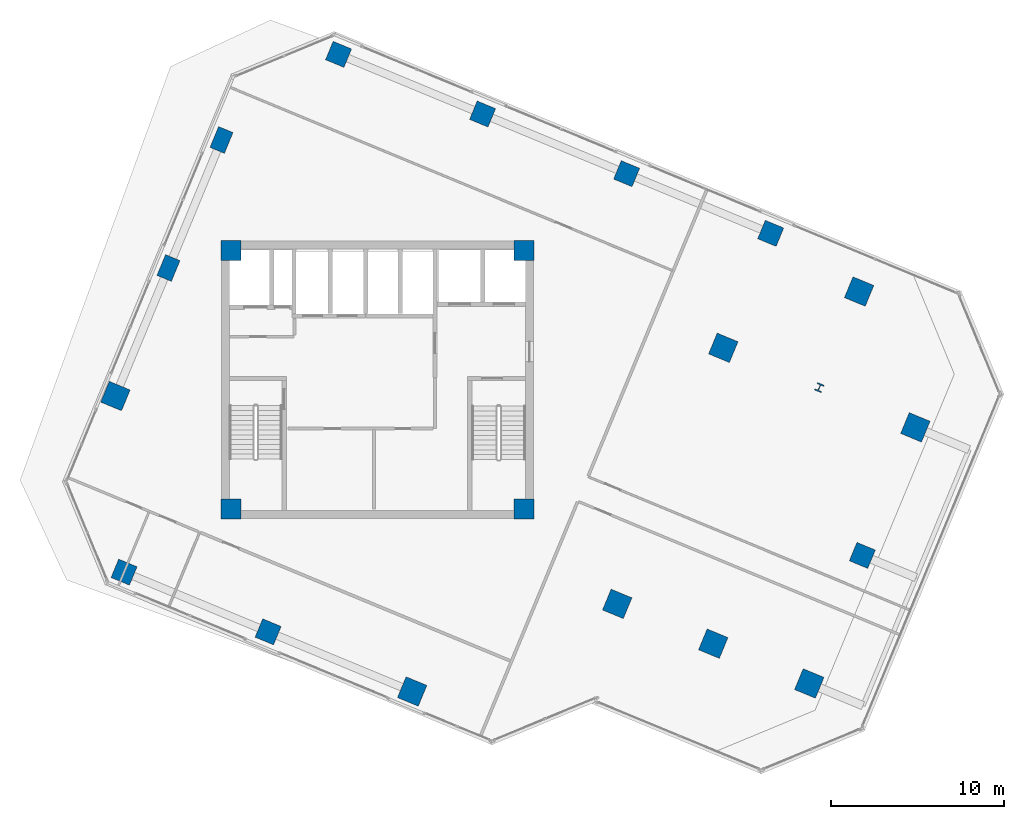
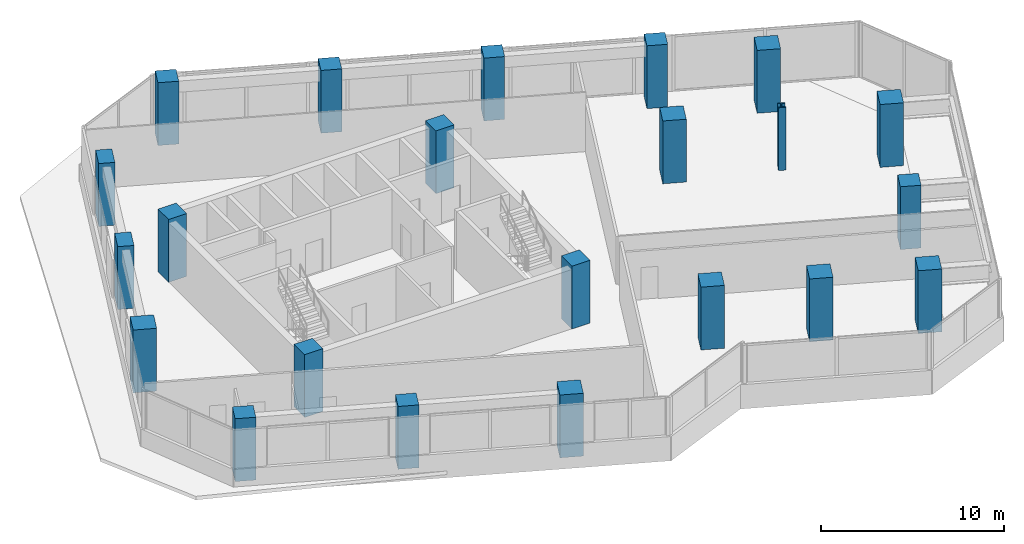
# One storey, part 1 of 24: 22 columns.
"""IFC4 building model written with IfcOpenShell, lengths in metres."""

from ifc_helpers import new_model, si_unit, direction, frame, origin, origin_2d, place, context, subcontext, project, spatial, rectangle, i_section, extrude, source, transform, mapped, material, material_profile, profile_set, type_object, element, save


model = new_model("IFC4")

# Units and contexts
model_context = context("Model", 3, precision=1e-05, world=origin(), true_north=direction((0.0, 1.0)))
body_context = subcontext(model_context, "Body", "Model", "MODEL_VIEW")
ifc_project = project(units=[si_unit("LENGTHUNIT", "METRE"), si_unit("AREAUNIT", "SQUARE_METRE"), si_unit("VOLUMEUNIT", "CUBIC_METRE"), si_unit("PLANEANGLEUNIT", "RADIAN"), si_unit("MASSUNIT", "GRAM", prefix="KILO")], contexts=[model_context])

# Site, building, storey
site_placement = place(None, origin())
site = spatial("IfcSite", under=ifc_project, at=site_placement, CompositionType="ELEMENT")
building_placement = place(site_placement, origin())
building = spatial("IfcBuilding", under=site, at=building_placement, Name="Torre Montelarca", CompositionType="ELEMENT")
storey_placement = place(building_placement, frame((0.0, 0.0, 141.39990234375)))
storey = spatial("IfcBuildingStorey", under=building, at=storey_placement, Name="L31", CompositionType="ELEMENT", Elevation=141.39990234375)

# Columns
ifc_material_1 = material(Name="Concrete C55/67", Category="concrete")
ifc_material_profile_1 = material_profile(ifc_material_1, rectangle(XDim=1.14990234375, YDim=1.14990234375, at=origin_2d()), Name="RC1150X1150", Category="concrete")
ifc_profile_set_1 = profile_set([ifc_material_profile_1], Name="Concrete C55/67")
column_type_1 = type_object("IfcColumnType", Name="COL-RC1150", PredefinedType="COLUMN", material=ifc_profile_set_1)
shared_shape_1 = source(origin(), body_context, "Body", "SweptSolid", [
    extrude(rectangle(XDim=1.14990234375, YDim=1.14990234375, at=origin_2d()), origin(), (0.0, 0.0, 1.0), 4.19873046875),
])
for number, where, z_axis, x_axis, name in (
    (1, (9.550048828125, 24.550048828125, 0.000732421875), (0.0, 0.0, 1.0), (1.0, 0.0, 0.0), "L31 Plumb Core Corner Column 2D"),
    (2, (26.449951171875, 24.550048828125, 0.000732421875), (0.0, 0.0, 1.0), (1.0, 0.0, 0.0), "L31 Plumb Core Corner Column 4D"),
    (3, (9.550048828125, 39.449951171875, 0.000732421875), (0.0, 0.0, 1.0), (1.0, 0.0, 0.0), "L31 Plumb Core Corner Column 2F"),
    (4, (26.449951171875, 39.449951171875, 0.000732421875), (0.0, 0.0, 1.0), (1.0, 0.0, 0.0), "L31 Plumb Core Corner Column 4F"),
):
    element("IfcColumn", number, at=place(storey_placement, frame(where, z_axis=z_axis, x_axis=x_axis)), inside=storey, type_object=column_type_1, Name=name, PredefinedType="COLUMN", context=body_context, shape_type="MappedRepresentation", body=[
        mapped(shared_shape_1, transform((0.0, 0.0, 0.0), scale=1.0)),
    ])
ifc_material_2 = material(Name="Concrete C70/85", Category="concrete")
ifc_material_profile_2 = material_profile(ifc_material_2, rectangle(XDim=1.300048828125, YDim=1.300048828125, at=origin_2d()), Name="RC1300X1300", Category="concrete")
ifc_profile_set_2 = profile_set([ifc_material_profile_2], Name="Concrete C70/85")
column_type_2 = type_object("IfcColumnType", Name="COL-RC1300-EXT", PredefinedType="COLUMN", material=ifc_profile_set_2)
shared_shape_2 = source(origin(), body_context, "Body", "SweptSolid", [
    extrude(rectangle(XDim=1.300048828125, YDim=1.300048828125, at=origin_2d()), origin(), (0.0, 0.0, 1.0), 4.19873046875),
])
for number, where, z_axis, x_axis, name in (
    (5, (19.999267578125, 14.00439453125, 0.000732421875), (0.0, 0.0, 1.0), (-0.923879532511, 0.382683432365, 0.0), "L31 Column 4/CS"),
    (6, (42.92138671875, 14.468017578125, 0.000732421875), (0.0, 0.0, 1.0), (-0.923879532511, 0.382683432365, 0.0), "L31 Column 7/D"),
    (7, (49.044189453125, 29.25, 0.000732421875), (0.0, 0.0, 1.0), (-0.923879532511, 0.382683432365, 0.0), "L31 Column 7/F"),
    (8, (2.87109375, 31.05712890625, 0.000732421875), (0.0, 0.0, 1.0), (-0.923879532511, 0.382683432365, 0.0), "L31 Column 1W/D"),
):
    element("IfcColumn", number, at=place(storey_placement, frame(where, z_axis=z_axis, x_axis=x_axis)), inside=storey, type_object=column_type_2, Name=name, PredefinedType="COLUMN", context=body_context, shape_type="MappedRepresentation", body=[
        mapped(shared_shape_2, transform((0.0, 0.0, 0.0), scale=1.0)),
    ])
ifc_material_profile_3 = material_profile(ifc_material_1, rectangle(XDim=0.89990234375, YDim=1.300048828125, at=origin_2d()), Name="RC1300X900", Category="concrete")
ifc_profile_set_3 = profile_set([ifc_material_profile_3], Name="Concrete C55/67")
column_type_3 = type_object("IfcColumnType", Name="COL-PIL1300-EXT", PredefinedType="PILASTER", material=ifc_profile_set_3)
shared_shape_3 = source(origin(), body_context, "Body", "SweptSolid", [
    extrude(rectangle(XDim=0.89990234375, YDim=1.300048828125, at=origin_2d()), origin(), (0.0, 0.0, 1.0), 4.19873046875),
])
for number, where, z_axis, x_axis, name in (
    (9, (5.9326171875, 38.4482421875, 0.000732421875), (0.0, 0.0, 1.0), (-0.923879532511, 0.382683432365, 0.0), "L31 Column 1W/E"),
    (10, (8.994140625, 45.83935546875, 0.000732421875), (0.0, 0.0, 1.0), (-0.923879532511, 0.382683432365, 0.0), "L31 Column 1W/F"),
):
    element("IfcColumn", number, at=place(storey_placement, frame(where, z_axis=z_axis, x_axis=x_axis)), inside=storey, type_object=column_type_3, Name=name, PredefinedType="PILASTER", context=body_context, shape_type="MappedRepresentation", body=[
        mapped(shared_shape_3, transform((0.0, 0.0, 0.0), scale=1.0)),
    ])
ifc_material_profile_4 = material_profile(ifc_material_1, rectangle(XDim=1.14990234375, YDim=1.14990234375, at=origin_2d()), Name="RC1150X1150", Category="concrete")
ifc_profile_set_4 = profile_set([ifc_material_profile_4], Name="Concrete C55/67")
column_type_4 = type_object("IfcColumnType", Name="COL-RC1150-EXT", PredefinedType="COLUMN", material=ifc_profile_set_4)
shared_shape_4 = source(origin(), body_context, "Body", "SweptSolid", [
    extrude(rectangle(XDim=1.14990234375, YDim=1.14990234375, at=origin_2d()), origin(), (0.0, 0.0, 1.0), 4.19873046875),
])
for number, where, z_axis, x_axis, name in (
    (11, (3.369384765625, 20.892822265625, 0.000732421875), (0.0, 0.0, 1.0), (-0.923879532511, 0.382683432365, 0.0), "L31 Column 2/CS"),
    (12, (15.749267578125, 50.7802734375, 0.000732421875), (0.0, 0.0, 1.0), (-0.923879532511, 0.382683432365, 0.0), "L31 Column 2/GN"),
    (13, (11.684326171875, 17.44873046875, 0.000732421875), (0.0, 0.0, 1.0), (-0.923879532511, 0.382683432365, 0.0), "L31 Column 3/CS"),
    (14, (24.064208984375, 47.336181640625, 0.000732421875), (0.0, 0.0, 1.0), (-0.923879532511, 0.382683432365, 0.0), "L31 Column 3/GN"),
    (15, (32.37890625, 43.89208984375, 0.000732421875), (0.0, 0.0, 1.0), (-0.923879532511, 0.382683432365, 0.0), "L31 Column 4/GN"),
    (16, (40.69384765625, 40.447998046875, 0.000732421875), (0.0, 0.0, 1.0), (-0.923879532511, 0.382683432365, 0.0), "L31 Column 5/GN"),
    (17, (45.98291015625, 21.85888671875, 0.000732421875), (0.0, 0.0, 1.0), (-0.923879532511, 0.382683432365, 0.0), "L31 Column 7/E"),
):
    element("IfcColumn", number, at=place(storey_placement, frame(where, z_axis=z_axis, x_axis=x_axis)), inside=storey, type_object=column_type_4, Name=name, PredefinedType="COLUMN", context=body_context, shape_type="MappedRepresentation", body=[
        mapped(shared_shape_4, transform((0.0, 0.0, 0.0), scale=1.0)),
    ])
ifc_material_profile_5 = material_profile(ifc_material_2, rectangle(XDim=1.300048828125, YDim=1.300048828125, at=origin_2d()), Name="RC1300X1300", Category="concrete")
ifc_profile_set_5 = profile_set([ifc_material_profile_5], Name="Concrete C70/85")
column_type_5 = type_object("IfcColumnType", Name="COL-RC1300", PredefinedType="COLUMN", material=ifc_profile_set_5)
shared_shape_5 = source(origin(), body_context, "Body", "SweptSolid", [
    extrude(rectangle(XDim=1.300048828125, YDim=1.300048828125, at=origin_2d()), origin(), (0.0, 0.0, 1.0), 4.19873046875),
])
for number, where, z_axis, x_axis, name in (
    (18, (31.834716796875, 19.06005859375, 0.000732421875), (0.0, 0.0, 1.0), (-0.923879532511, 0.382683432365, 0.0), "L31 Column 5/D"),
    (19, (37.957763671875, 33.842041015625, 0.000732421875), (0.0, 0.0, 1.0), (-0.923879532511, 0.382683432365, 0.0), "L31 Column 5/F"),
    (20, (37.378173828125, 16.763916015625, 0.000732421875), (0.0, 0.0, 1.0), (-0.923879532511, 0.382683432365, 0.0), "L31 Column 6/D"),
    (21, (45.797119140625, 37.08935546875, 0.000732421875), (0.0, 0.0, 1.0), (-0.923879532511, 0.382683432365, 0.0), "L31 Column 6/G"),
):
    element("IfcColumn", number, at=place(storey_placement, frame(where, z_axis=z_axis, x_axis=x_axis)), inside=storey, type_object=column_type_5, Name=name, PredefinedType="COLUMN", context=body_context, shape_type="MappedRepresentation", body=[
        mapped(shared_shape_5, transform((0.0, 0.0, 0.0), scale=1.0)),
    ])
ifc_material_3 = material(Name="Steel ASTM A992 Grade 50", Category="steel")
ifc_material_profile_6 = material_profile(ifc_material_3, i_section(OverallWidth=0.4208984375, OverallDepth=0.465087890625, WebThickness=0.044921875, FlangeThickness=0.072265625, FilletRadius=0.014892578125, at=origin_2d()), Name="W360X592", Category="steel")
ifc_profile_set_6 = profile_set([ifc_material_profile_6], Name="Steel ASTM A992 Grade 50")
column_type_6 = type_object("IfcColumnType", Name="COL-W360X592", PredefinedType="COLUMN", material=ifc_profile_set_6)
shared_shape_6 = source(origin(), body_context, "Body", "SweptSolid", [
    extrude(i_section(OverallWidth=0.4208984375, OverallDepth=0.465087890625, WebThickness=0.044921875, FlangeThickness=0.072265625, FilletRadius=0.014892578125, at=origin_2d()), origin(), (0.0, 0.0, 1.0), 4.19873046875),
])
column_placement = place(storey_placement, frame((43.5009765625, 31.5458984375, 0.000732421875), z_axis=(0.0, 0.0, 1.0), x_axis=(-0.923879532511, 0.382683432365, 0.0)))
element("IfcColumn", 22, at=column_placement, inside=storey, type_object=column_type_6, Name="L31 Column 6/F", PredefinedType="COLUMN", context=body_context, shape_type="MappedRepresentation", body=[
    mapped(shared_shape_6, transform((0.0, 0.0, 0.0), scale=1.0)),
])

save(model, "model.ifc")
